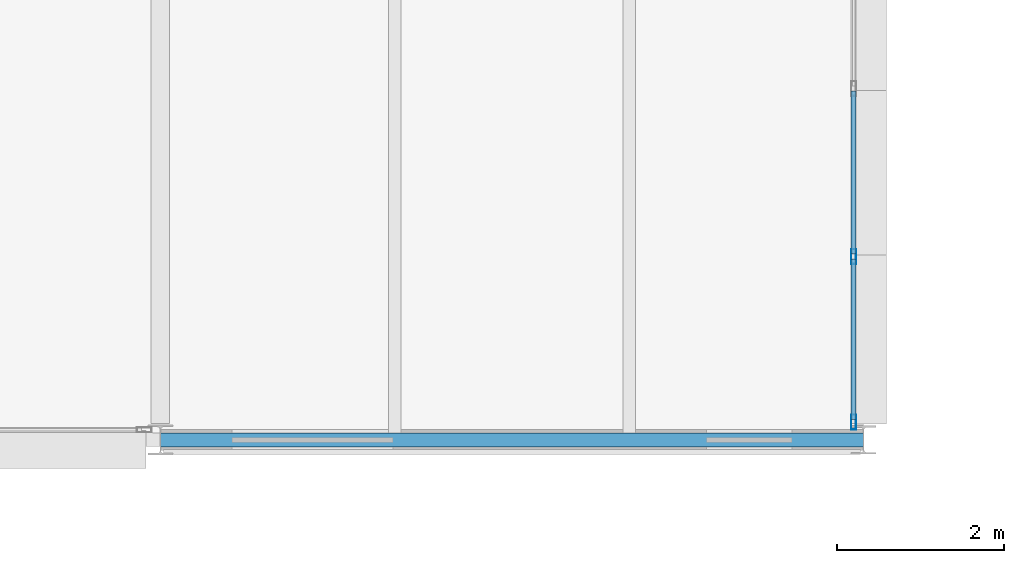
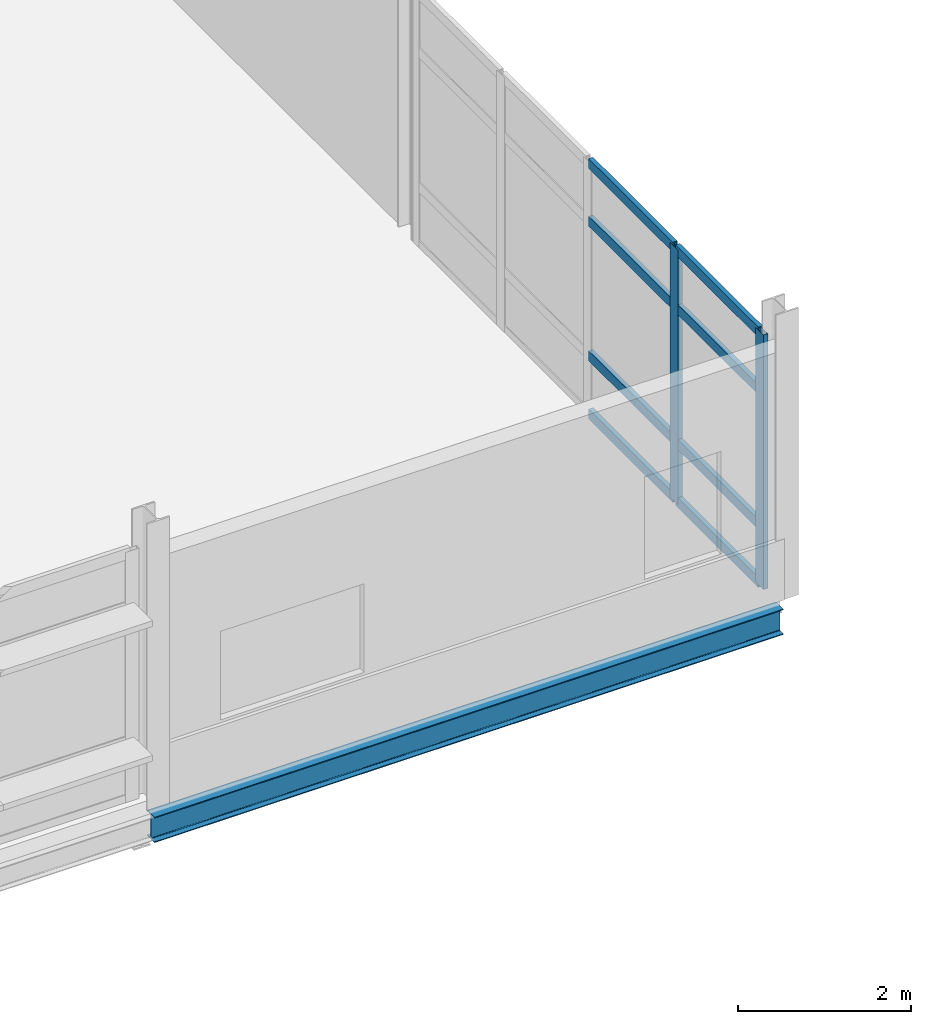
# One storey, part 39 of 131: 10 members, 1 beam, 1 element without a shape of its own.
"""IFC4 building model written with IfcOpenShell, lengths in metres."""

from ifc_helpers import new_model, si_unit, direction, frame, origin, origin_2d, place, context, subcontext, project, spatial, hollow_rectangle, i_section, extrude, material, material_profile, profile_set, type_object, element, aggregate, save


model = new_model("IFC4")

# Units and contexts
model_context = context("Model", 3, precision=1e-05, world=origin(), true_north=direction((0.0, 1.0)))
body_context = subcontext(model_context, "Body", "Model", "MODEL_VIEW")
ifc_project = project(units=[si_unit("LENGTHUNIT", "METRE"), si_unit("AREAUNIT", "SQUARE_METRE"), si_unit("VOLUMEUNIT", "CUBIC_METRE"), si_unit("PLANEANGLEUNIT", "RADIAN"), si_unit("MASSUNIT", "GRAM", prefix="KILO")], contexts=[model_context])

# Site, building, storey
site_placement = place(None, origin())
site = spatial("IfcSite", under=ifc_project, at=site_placement, CompositionType="ELEMENT")
building_placement = place(site_placement, origin())
building = spatial("IfcBuilding", under=site, at=building_placement, Name="Mersafa Astral City Hall", CompositionType="ELEMENT")
storey_placement = place(building_placement, frame((0.0, 0.0, 13.949951171875)))
storey = spatial("IfcBuildingStorey", under=building, at=storey_placement, Name="L03", CompositionType="ELEMENT", Elevation=13.949951171875)

# Curtain wall, members
ifc_material_1 = material(Name="Anodised bronze aluminium framing", Category="aluminium")
curtain_wall_type = type_object("IfcCurtainWallType", Name="ENV-CW-4", PredefinedType="USERDEFINED", material=ifc_material_1)
curtain_wall_placement = place(storey_placement, origin())
curtain_wall = element("IfcCurtainWall", 1, at=curtain_wall_placement, inside=storey, type_object=curtain_wall_type, Name="L03 Unitised solar curtain wall 177", ObjectType="UNITISED CURTAIN WALL", PredefinedType="USERDEFINED")
ifc_material_profile_1 = material_profile(ifc_material_1, hollow_rectangle(XDim=0.06005859375, YDim=0.179931640625, WallThickness=0.00390625, at=origin_2d()), Name="RHS 60x180x4")
ifc_profile_set_1 = profile_set([ifc_material_profile_1], Name="Anodised bronze aluminium framing")
member_type_1 = type_object("IfcMemberType", Name="ENV-CW-MUL-1", PredefinedType="MULLION", material=ifc_profile_set_1)
member_1_placement = place(storey_placement, frame((50.280029296875, 92.612060546875, -0.001953125), z_axis=(0.0, 0.0, 1.0), x_axis=(-1.0, 0.0, 0.0)))
member_1 = element("IfcMember", 2, at=member_1_placement, type_object=member_type_1, Name="CW-4 mullion 1", PredefinedType="MULLION", context=body_context, shape_type="SweptSolid", body=[
    extrude(hollow_rectangle(XDim=0.06005859375, YDim=0.179931640625, WallThickness=0.00390625, at=origin_2d()), origin(), (0.0, 0.0, 1.0), 3.593994140625),
])
member_2_placement = place(storey_placement, frame((50.280029296875, 94.58837890625, -0.001953125), z_axis=(0.0, 0.0, 1.0), x_axis=(-1.0, 0.0, 0.0)))
member_2 = element("IfcMember", 3, at=member_2_placement, type_object=member_type_1, Name="CW-4 mullion 2", PredefinedType="MULLION", context=body_context, shape_type="SweptSolid", body=[
    extrude(hollow_rectangle(XDim=0.06005859375, YDim=0.179931640625, WallThickness=0.00390625, at=origin_2d()), origin(), (0.0, 0.0, 1.0), 3.593994140625),
])
ifc_material_profile_2 = material_profile(ifc_material_1, hollow_rectangle(XDim=0.06005859375, YDim=0.139892578125, WallThickness=0.00390625, at=origin_2d()), Name="RHS 60x140x4")
ifc_profile_set_2 = profile_set([ifc_material_profile_2], Name="Anodised bronze aluminium framing")
member_type_2 = type_object("IfcMemberType", Name="ENV-CW-TRN-1", PredefinedType="USERDEFINED", material=ifc_profile_set_2)
member_3_placement = place(storey_placement, frame((50.280029296875, 92.64208984375, 0.028076171875), z_axis=(0.0, 1.0, 0.0), x_axis=(-1.0, 0.0, 0.0)))
member_3 = element("IfcMember", 4, at=member_3_placement, type_object=member_type_2, Name="CW-4 transom 1.1", ObjectType="TRANSOM", PredefinedType="USERDEFINED", context=body_context, shape_type="SweptSolid", body=[
    extrude(hollow_rectangle(XDim=0.06005859375, YDim=0.139892578125, WallThickness=0.00390625, at=origin_2d()), origin(), (0.0, 0.0, 1.0), 1.91650390625),
])
member_4_placement = place(storey_placement, frame((50.280029296875, 92.64208984375, 0.85009765625), z_axis=(0.0, 1.0, 0.0), x_axis=(-1.0, 0.0, 0.0)))
member_4 = element("IfcMember", 5, at=member_4_placement, type_object=member_type_2, Name="CW-4 transom 1.2", ObjectType="TRANSOM", PredefinedType="USERDEFINED", context=body_context, shape_type="SweptSolid", body=[
    extrude(hollow_rectangle(XDim=0.06005859375, YDim=0.139892578125, WallThickness=0.00390625, at=origin_2d()), origin(), (0.0, 0.0, 1.0), 1.91650390625),
])
member_5_placement = place(storey_placement, frame((50.280029296875, 92.64208984375, 2.75), z_axis=(0.0, 1.0, 0.0), x_axis=(-1.0, 0.0, 0.0)))
member_5 = element("IfcMember", 6, at=member_5_placement, type_object=member_type_2, Name="CW-4 transom 1.3", ObjectType="TRANSOM", PredefinedType="USERDEFINED", context=body_context, shape_type="SweptSolid", body=[
    extrude(hollow_rectangle(XDim=0.06005859375, YDim=0.139892578125, WallThickness=0.00390625, at=origin_2d()), origin(), (0.0, 0.0, 1.0), 1.91650390625),
])
member_6_placement = place(storey_placement, frame((50.280029296875, 92.64208984375, 3.56201171875), z_axis=(0.0, 1.0, 0.0), x_axis=(-1.0, 0.0, 0.0)))
member_6 = element("IfcMember", 7, at=member_6_placement, type_object=member_type_2, Name="CW-4 transom 1.4", ObjectType="TRANSOM", PredefinedType="USERDEFINED", context=body_context, shape_type="SweptSolid", body=[
    extrude(hollow_rectangle(XDim=0.06005859375, YDim=0.139892578125, WallThickness=0.00390625, at=origin_2d()), origin(), (0.0, 0.0, 1.0), 1.91650390625),
])
member_7_placement = place(storey_placement, frame((50.280029296875, 94.618408203125, 0.028076171875), z_axis=(0.0, 1.0, 0.0), x_axis=(-1.0, 0.0, 0.0)))
member_7 = element("IfcMember", 8, at=member_7_placement, type_object=member_type_2, Name="CW-4 transom 2.1", ObjectType="TRANSOM", PredefinedType="USERDEFINED", context=body_context, shape_type="SweptSolid", body=[
    extrude(hollow_rectangle(XDim=0.06005859375, YDim=0.139892578125, WallThickness=0.00390625, at=origin_2d()), origin(), (0.0, 0.0, 1.0), 1.946533203125),
])
member_8_placement = place(storey_placement, frame((50.280029296875, 94.618408203125, 0.85009765625), z_axis=(0.0, 1.0, 0.0), x_axis=(-1.0, 0.0, 0.0)))
member_8 = element("IfcMember", 9, at=member_8_placement, type_object=member_type_2, Name="CW-4 transom 2.2", ObjectType="TRANSOM", PredefinedType="USERDEFINED", context=body_context, shape_type="SweptSolid", body=[
    extrude(hollow_rectangle(XDim=0.06005859375, YDim=0.139892578125, WallThickness=0.00390625, at=origin_2d()), origin(), (0.0, 0.0, 1.0), 1.946533203125),
])
member_9_placement = place(storey_placement, frame((50.280029296875, 94.618408203125, 2.75), z_axis=(0.0, 1.0, 0.0), x_axis=(-1.0, 0.0, 0.0)))
member_9 = element("IfcMember", 10, at=member_9_placement, type_object=member_type_2, Name="CW-4 transom 2.3", ObjectType="TRANSOM", PredefinedType="USERDEFINED", context=body_context, shape_type="SweptSolid", body=[
    extrude(hollow_rectangle(XDim=0.06005859375, YDim=0.139892578125, WallThickness=0.00390625, at=origin_2d()), origin(), (0.0, 0.0, 1.0), 1.946533203125),
])
member_10_placement = place(storey_placement, frame((50.280029296875, 94.618408203125, 3.56201171875), z_axis=(0.0, 1.0, 0.0), x_axis=(-1.0, 0.0, 0.0)))
member_10 = element("IfcMember", 11, at=member_10_placement, type_object=member_type_2, Name="CW-4 transom 2.4", ObjectType="TRANSOM", PredefinedType="USERDEFINED", context=body_context, shape_type="SweptSolid", body=[
    extrude(hollow_rectangle(XDim=0.06005859375, YDim=0.139892578125, WallThickness=0.00390625, at=origin_2d()), origin(), (0.0, 0.0, 1.0), 1.946533203125),
])
aggregate(curtain_wall, [member_1, member_2, member_3, member_4, member_5, member_6, member_7, member_8, member_9, member_10])

# Beam
ifc_material_2 = material(Name="Steel S355", Category="steel")
ifc_material_profile_3 = material_profile(ifc_material_2, i_section(OverallWidth=0.169921875, OverallDepth=0.360107421875, WebThickness=0.008056640625, FlangeThickness=0.0126953125, FilletRadius=0.01806640625, at=origin_2d()), Name="IPE 360")
ifc_profile_set_3 = profile_set([ifc_material_profile_3], Name="Steel S355")
beam_type = type_object("IfcBeamType", Name="STR-BM-SPANDREL-IPE360", PredefinedType="SPANDREL", material=ifc_profile_set_3)
beam_placement = place(storey_placement, frame((42.0029296875, 92.39990234375, -0.3798828125), z_axis=(1.0, 0.0, 0.0), x_axis=(0.0, 1.0, 0.0)))
element("IfcBeam", 12, at=beam_placement, inside=storey, type_object=beam_type, Name="L03 Primary girder X 5-11", PredefinedType="SPANDREL", context=body_context, shape_type="SweptSolid", body=[
    extrude(i_section(OverallWidth=0.169921875, OverallDepth=0.360107421875, WebThickness=0.008056640625, FlangeThickness=0.0126953125, FilletRadius=0.01806640625, at=origin_2d()), origin(), (0.0, 0.0, 1.0), 8.39404296875),
])

save(model, "model.ifc")
